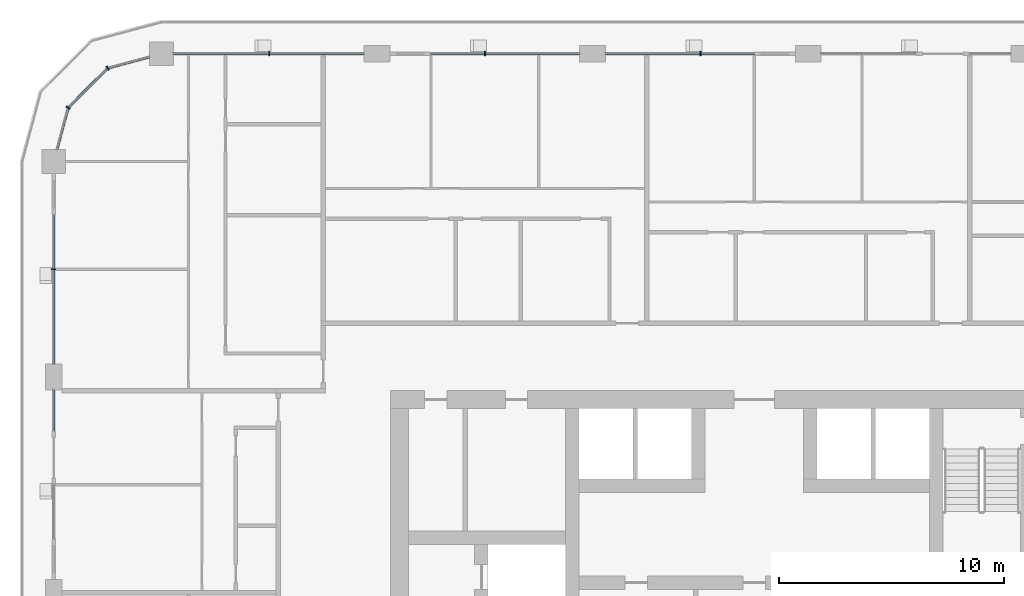
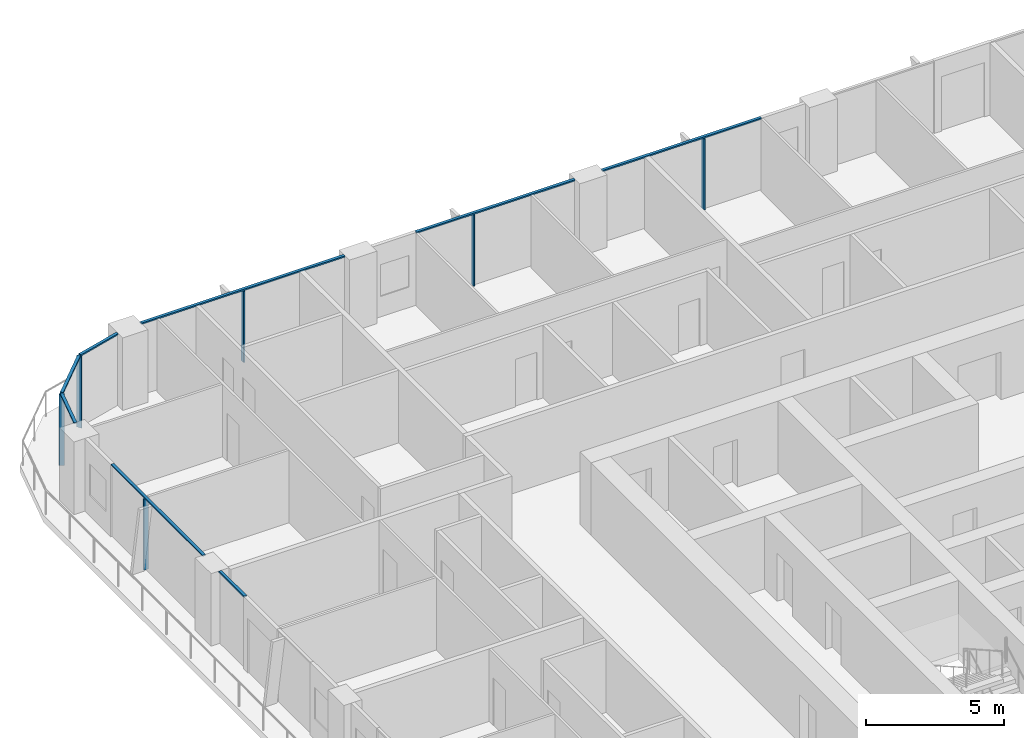
# One storey, part 5 of 22: 14 members, 6 elements without a shape of their own.
"""IFC4 building model written with IfcOpenShell, lengths in metres."""

from ifc_helpers import new_model, si_unit, direction, frame, origin, origin_2d, place, context, subcontext, project, spatial, rectangle, extrude, material, layer, layer_set, material_profile, profile_set, type_object, element, aggregate, save


model = new_model("IFC4")

# Units and contexts
model_context = context("Model", 3, precision=1e-05, world=origin(), true_north=direction((0.0, 1.0)))
body_context = subcontext(model_context, "Body", "Model", "MODEL_VIEW")
ifc_project = project(units=[si_unit("LENGTHUNIT", "METRE"), si_unit("AREAUNIT", "SQUARE_METRE"), si_unit("VOLUMEUNIT", "CUBIC_METRE"), si_unit("PLANEANGLEUNIT", "RADIAN"), si_unit("MASSUNIT", "GRAM", prefix="KILO")], contexts=[model_context])

# Site, building, storey
site_placement = place(None, origin())
site = spatial("IfcSite", under=ifc_project, at=site_placement, CompositionType="ELEMENT")
building_placement = place(site_placement, origin())
building = spatial("IfcBuilding", under=site, at=building_placement, Name="Madar Terraces", CompositionType="ELEMENT")
storey_placement = place(building_placement, frame((0.0, 0.0, 122.60009765625)))
storey = spatial("IfcBuildingStorey", under=building, at=storey_placement, Name="L31", CompositionType="ELEMENT", Elevation=122.60009765625)

# Curtain wall, member
ifc_material_1 = material(Name="Glass, ceramic frit dark grey, with black aluminium frame", Category="aluminium")
ifc_layer = layer(ifc_material_1, 0.199951171875)
ifc_layer_set = layer_set([ifc_layer], Name="Facade curtain wall, fritted glass")
curtain_wall_type = type_object("IfcCurtainWallType", Name="Facade curtain wall, fritted glass", PredefinedType="NOTDEFINED", material=ifc_layer_set)
curtain_wall_1_placement = place(storey_placement, origin())
curtain_wall_1 = element("IfcCurtainWall", 1, at=curtain_wall_1_placement, inside=storey, type_object=curtain_wall_type, Name="Outer skin curtain wall north bay 3", PredefinedType="NOTDEFINED")
ifc_material_2 = material(Name="Aluminium, black anodised", Category="aluminium")
ifc_material_profile_1 = material_profile(ifc_material_2, rectangle(XDim=0.199951171875, YDim=0.06005859375, at=origin_2d()), Name="Facade mullion 60x200")
ifc_profile_set_1 = profile_set([ifc_material_profile_1], Name="Aluminium, black anodised")
member_type_1 = type_object("IfcMemberType", Name="Facade mullion 60x200", PredefinedType="MULLION", material=ifc_profile_set_1)
member_1_placement = place(storey_placement, frame((28.800048828125, 52.800048828125, 0.0), z_axis=(0.0, 0.0, 1.0), x_axis=(0.0, -1.0, 0.0)))
member_1 = element("IfcMember", 2, at=member_1_placement, type_object=member_type_1, Name="Mullion 1", PredefinedType="MULLION", context=body_context, shape_type="SweptSolid", body=[
    extrude(rectangle(XDim=0.199951171875, YDim=0.06005859375, at=origin_2d()), origin(), (0.0, 0.0, 1.0), 3.139892578125),
])

curtain_wall_2_placement = place(storey_placement, origin())
curtain_wall_2 = element("IfcCurtainWall", 3, at=curtain_wall_2_placement, inside=storey, type_object=curtain_wall_type, Name="Outer skin curtain wall north bay 4", PredefinedType="NOTDEFINED")
member_2_placement = place(storey_placement, frame((19.199951171875, 52.800048828125, 0.0), z_axis=(0.0, 0.0, 1.0), x_axis=(0.0, -1.0, 0.0)))
member_2 = element("IfcMember", 4, at=member_2_placement, type_object=member_type_1, Name="Mullion 1", PredefinedType="MULLION", context=body_context, shape_type="SweptSolid", body=[
    extrude(rectangle(XDim=0.199951171875, YDim=0.06005859375, at=origin_2d()), origin(), (0.0, 0.0, 1.0), 3.139892578125),
])

curtain_wall_3_placement = place(storey_placement, origin())
curtain_wall_3 = element("IfcCurtainWall", 5, at=curtain_wall_3_placement, inside=storey, type_object=curtain_wall_type, Name="Outer skin curtain wall north bay 5", PredefinedType="NOTDEFINED")
member_3_placement = place(storey_placement, frame((9.60009765625, 52.800048828125, 0.0), z_axis=(0.0, 0.0, 1.0), x_axis=(0.0, -1.0, 0.0)))
member_3 = element("IfcMember", 6, at=member_3_placement, type_object=member_type_1, Name="Mullion 1", PredefinedType="MULLION", context=body_context, shape_type="SweptSolid", body=[
    extrude(rectangle(XDim=0.199951171875, YDim=0.06005859375, at=origin_2d()), origin(), (0.0, 0.0, 1.0), 3.139892578125),
])

curtain_wall_4_placement = place(storey_placement, origin())
curtain_wall_4 = element("IfcCurtainWall", 7, at=curtain_wall_4_placement, inside=storey, type_object=curtain_wall_type, Name="Outer skin curtain wall west bay 1", PredefinedType="NOTDEFINED")
member_4_placement = place(storey_placement, frame((0.0, 43.199951171875, 0.0), z_axis=(0.0, 0.0, 1.0), x_axis=(1.0, 0.0, 0.0)))
member_4 = element("IfcMember", 8, at=member_4_placement, type_object=member_type_1, Name="Mullion 1", PredefinedType="MULLION", context=body_context, shape_type="SweptSolid", body=[
    extrude(rectangle(XDim=0.199951171875, YDim=0.06005859375, at=origin_2d()), origin(), (0.0, 0.0, 1.0), 3.139892578125),
])

# Curtain wall, members
curtain_wall_5_placement = place(storey_placement, origin())
curtain_wall_5 = element("IfcCurtainWall", 9, at=curtain_wall_5_placement, inside=storey, type_object=curtain_wall_type, Name="Outer skin curtain wall north-west corner", PredefinedType="NOTDEFINED")
member_5_placement = place(storey_placement, frame((2.39990234375, 52.156982421875, 0.0), z_axis=(0.0, 0.0, 1.0), x_axis=(0.499999989586, -0.866025409797, 0.0)))
member_5 = element("IfcMember", 10, at=member_5_placement, type_object=member_type_1, Name="Mullion 1", PredefinedType="MULLION", context=body_context, shape_type="SweptSolid", body=[
    extrude(rectangle(XDim=0.199951171875, YDim=0.06005859375, at=origin_2d()), origin(), (0.0, 0.0, 1.0), 3.139892578125),
])
member_6_placement = place(storey_placement, frame((0.64306640625, 50.39990234375, 0.0), z_axis=(0.0, 0.0, 1.0), x_axis=(0.866025409797, -0.499999989586, 0.0)))
member_6 = element("IfcMember", 11, at=member_6_placement, type_object=member_type_1, Name="Mullion 2", PredefinedType="MULLION", context=body_context, shape_type="SweptSolid", body=[
    extrude(rectangle(XDim=0.199951171875, YDim=0.06005859375, at=origin_2d()), origin(), (0.0, 0.0, 1.0), 3.139892578125),
])

# Member
ifc_material_3 = material(Name="Aluminium, black anodised", Category="aluminium")
ifc_material_profile_2 = material_profile(ifc_material_3, rectangle(XDim=0.1201171875, YDim=0.06005859375, at=origin_2d()), Name="Facade transom 60x120")
ifc_profile_set_2 = profile_set([ifc_material_profile_2], Name="Aluminium, black anodised")
member_type_2 = type_object("IfcMemberType", Name="Facade transom 60x120", PredefinedType="USERDEFINED", material=ifc_profile_set_2)
member_7_placement = place(storey_placement, frame((31.199951171875, 52.800048828125, 3.169921875), z_axis=(-1.0, 0.0, 0.0), x_axis=(0.0, -1.0, 0.0)))
member_7 = element("IfcMember", 12, at=member_7_placement, type_object=member_type_2, Name="Transom 1", ObjectType="TRANSOM", PredefinedType="USERDEFINED", context=body_context, shape_type="SweptSolid", body=[
    extrude(rectangle(XDim=0.1201171875, YDim=0.06005859375, at=origin_2d()), origin(), (0.0, 0.0, 1.0), 6.625),
])

aggregate(curtain_wall_1, [member_1, member_7])

member_8_placement = place(storey_placement, frame((23.425048828125, 52.800048828125, 3.169921875), z_axis=(-1.0, 0.0, 0.0), x_axis=(0.0, -1.0, 0.0)))
member_8 = element("IfcMember", 13, at=member_8_placement, type_object=member_type_2, Name="Transom 1", ObjectType="TRANSOM", PredefinedType="USERDEFINED", context=body_context, shape_type="SweptSolid", body=[
    extrude(rectangle(XDim=0.1201171875, YDim=0.06005859375, at=origin_2d()), origin(), (0.0, 0.0, 1.0), 6.625),
])

aggregate(curtain_wall_2, [member_2, member_8])

member_9_placement = place(storey_placement, frame((13.824951171875, 52.800048828125, 3.169921875), z_axis=(-1.0, 0.0, 0.0), x_axis=(0.0, -1.0, 0.0)))
member_9 = element("IfcMember", 14, at=member_9_placement, type_object=member_type_2, Name="Transom 1", ObjectType="TRANSOM", PredefinedType="USERDEFINED", context=body_context, shape_type="SweptSolid", body=[
    extrude(rectangle(XDim=0.1201171875, YDim=0.06005859375, at=origin_2d()), origin(), (0.0, 0.0, 1.0), 8.5),
])

aggregate(curtain_wall_3, [member_3, member_9])

member_10_placement = place(storey_placement, frame((0.0, 45.60009765625, 3.169921875), z_axis=(0.0, -1.0, 0.0), x_axis=(1.0, 0.0, 0.0)))
member_10 = element("IfcMember", 15, at=member_10_placement, type_object=member_type_2, Name="Transom 1", ObjectType="TRANSOM", PredefinedType="USERDEFINED", context=body_context, shape_type="SweptSolid", body=[
    extrude(rectangle(XDim=0.1201171875, YDim=0.06005859375, at=origin_2d()), origin(), (0.0, 0.0, 1.0), 6.625),
])

aggregate(curtain_wall_4, [member_4, member_10])

# Curtain wall, member
curtain_wall_6_placement = place(storey_placement, origin())
curtain_wall_6 = element("IfcCurtainWall", 16, at=curtain_wall_6_placement, inside=storey, type_object=curtain_wall_type, Name="Outer skin curtain wall west bay 2", PredefinedType="NOTDEFINED")
member_11_placement = place(storey_placement, frame((0.0, 37.824951171875, 3.169921875), z_axis=(0.0, -1.0, 0.0), x_axis=(1.0, 0.0, 0.0)))
member_11 = element("IfcMember", 17, at=member_11_placement, type_object=member_type_2, Name="Transom 1", ObjectType="TRANSOM", PredefinedType="USERDEFINED", context=body_context, shape_type="SweptSolid", body=[
    extrude(rectangle(XDim=0.1201171875, YDim=0.06005859375, at=origin_2d()), origin(), (0.0, 0.0, 1.0), 1.824951171875),
])
aggregate(curtain_wall_6, [member_11])

# Member
member_12_placement = place(storey_placement, frame((4.27490234375, 52.659423828125, 3.169921875), z_axis=(-0.965924671538, -0.258823354654, 0.0), x_axis=(0.258823354654, -0.965924671538, 0.0)))
member_12 = element("IfcMember", 18, at=member_12_placement, type_object=member_type_2, Name="Transom 1", ObjectType="TRANSOM", PredefinedType="USERDEFINED", context=body_context, shape_type="SweptSolid", body=[
    extrude(rectangle(XDim=0.1201171875, YDim=0.06005859375, at=origin_2d()), origin(), (0.0, 0.0, 1.0), 1.9111328125),
])

member_13_placement = place(storey_placement, frame((2.37890625, 52.1357421875, 3.169921875), z_axis=(-0.707106781187, -0.707106781187, 0.0), x_axis=(0.707106781187, -0.707106781187, 0.0)))
member_13 = element("IfcMember", 19, at=member_13_placement, type_object=member_type_2, Name="Transom 2", ObjectType="TRANSOM", PredefinedType="USERDEFINED", context=body_context, shape_type="SweptSolid", body=[
    extrude(rectangle(XDim=0.1201171875, YDim=0.06005859375, at=origin_2d()), origin(), (0.0, 0.0, 1.0), 2.4248046875),
])

member_14_placement = place(storey_placement, frame((0.63525390625, 50.37109375, 3.169921875), z_axis=(-0.25879142023, -0.965933227928, 0.0), x_axis=(0.965933227928, -0.25879142023, 0.0)))
member_14 = element("IfcMember", 20, at=member_14_placement, type_object=member_type_2, Name="Transom 3", ObjectType="TRANSOM", PredefinedType="USERDEFINED", context=body_context, shape_type="SweptSolid", body=[
    extrude(rectangle(XDim=0.1201171875, YDim=0.06005859375, at=origin_2d()), origin(), (0.0, 0.0, 1.0), 1.911376953125),
])

aggregate(curtain_wall_5, [member_5, member_12, member_6, member_13, member_14])

save(model, "model.ifc")
